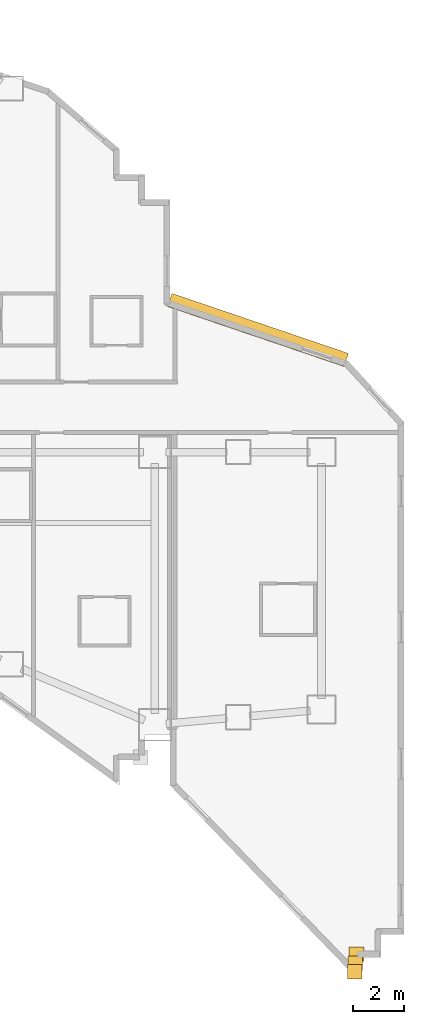
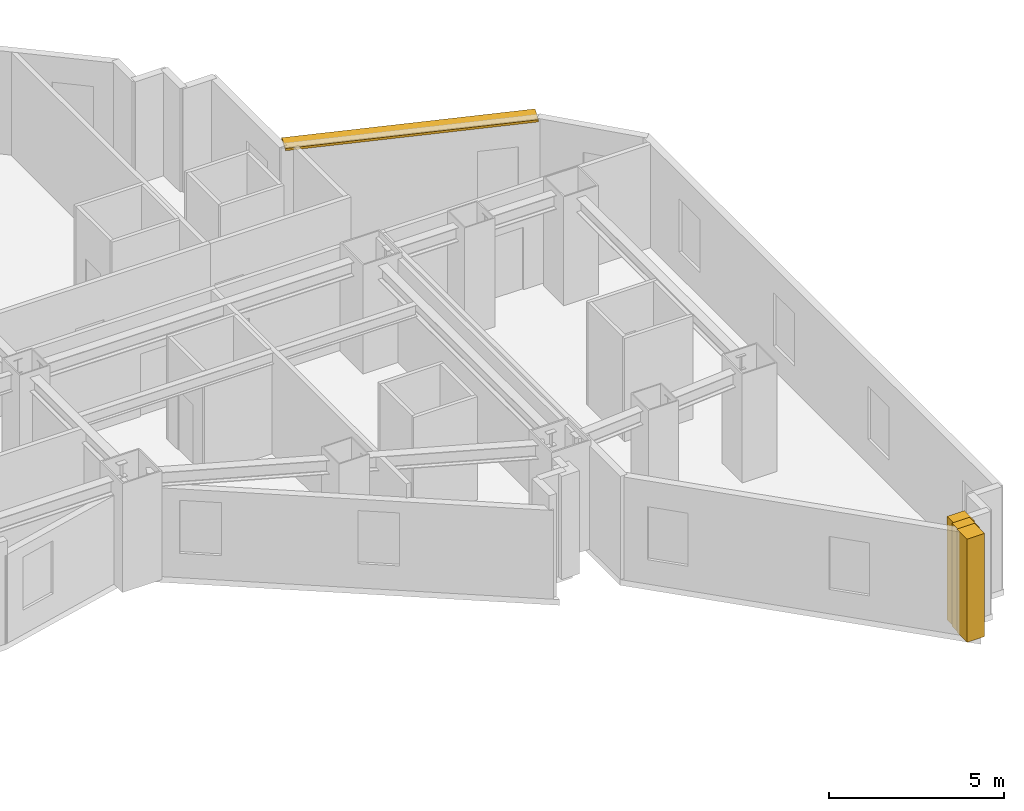
# One storey, part 17 of 17: 3 coverings, 1 shading device.
"""IFC4 building model written with IfcOpenShell, lengths in metres."""

from ifc_helpers import new_model, si_unit, direction, frame, origin, origin_2d, place, context, subcontext, project, spatial, rectangle, extrude, material, layer, layer_set, type_object, element, save


model = new_model("IFC4")

# Units and contexts
model_context = context("Model", 3, precision=1e-05, world=origin(), true_north=direction((0.0, 1.0)))
body_context = subcontext(model_context, "Body", "Model", "MODEL_VIEW")
ifc_project = project(units=[si_unit("LENGTHUNIT", "METRE"), si_unit("AREAUNIT", "SQUARE_METRE"), si_unit("VOLUMEUNIT", "CUBIC_METRE"), si_unit("PLANEANGLEUNIT", "RADIAN"), si_unit("MASSUNIT", "GRAM", prefix="KILO")], contexts=[model_context])

# Site, building, storey
site_placement = place(None, origin())
site = spatial("IfcSite", under=ifc_project, at=site_placement, CompositionType="ELEMENT")
building_placement = place(site_placement, origin())
building = spatial("IfcBuilding", under=site, at=building_placement, Name="Haolan Belvedere Tower", CompositionType="ELEMENT")
storey_placement = place(building_placement, frame((0.0, 0.0, 35.39990234375)))
storey = spatial("IfcBuildingStorey", under=building, at=storey_placement, Name="L08", CompositionType="ELEMENT", Elevation=35.39990234375)

# Coverings
ifc_material_1 = material(Name="Pale champagne-silver anodised aluminium rainscreen cladding", Category="aluminium")
ifc_layer_1 = layer(ifc_material_1, 0.034912109375, Name="Pale champagne-silver anodised aluminium rainscreen cladding")
ifc_layer_set_1 = layer_set([ifc_layer_1], Name="Pale champagne-silver anodised aluminium rainscreen cladding")
covering_type = type_object("IfcCoveringType", Name="COV-CLAD-35", PredefinedType="CLADDING", material=ifc_layer_set_1)
for number, where, z_axis, x_axis, name in (
    (1, (72.110595703125, 7.02001953125, 0.0), (0.0, 0.0, 1.0), (1.0, 0.0, 0.0), "L08 pale-metal serrated corner cladding trim 5"),
    (2, (72.139892578125, 7.351318359375, 0.0), (0.0, 0.0, 1.0), (1.0, 0.0, 0.0), "L08 pale-metal serrated corner cladding trim 6"),
    (3, (72.1826171875, 7.712890625, 0.0), (0.0, 0.0, 1.0), (1.0, 0.0, 0.0), "L08 pale-metal serrated corner cladding trim 7"),
):
    element("IfcCovering", number, at=place(storey_placement, frame(where, z_axis=z_axis, x_axis=x_axis)), inside=storey, type_object=covering_type, Name=name, PredefinedType="CLADDING", context=body_context, shape_type="SweptSolid", body=[
        extrude(rectangle(XDim=0.580078125, YDim=0.580078125, at=origin_2d()), origin(), (0.0, 0.0, 1.0), 3.60009765625),
    ])

# Shading device
ifc_material_2 = material(Name="Anodised champagne-silver aluminium 6063-T6", Category="aluminium")
ifc_layer_2 = layer(ifc_material_2, 0.080078125, Name="Anodised champagne-silver aluminium 6063-T6")
ifc_layer_set_2 = layer_set([ifc_layer_2], Name="Anodised champagne-silver aluminium 6063-T6")
shading_device_type = type_object("IfcShadingDeviceType", Name="SHD-SUN-550", PredefinedType="USERDEFINED", material=ifc_layer_set_2)
shading_device_placement = place(storey_placement, frame((68.28125, 32.437744140625, 3.5), z_axis=(0.0, 0.0, 1.0), x_axis=(-0.946795402177, 0.321836086257, 0.0)))
element("IfcShadingDevice", 4, at=shading_device_placement, inside=storey, type_object=shading_device_type, Name="L08 pale-metal horizontal SUNSHADE band 28.1", ObjectType="SUNSHADE", PredefinedType="USERDEFINED", context=body_context, shape_type="SweptSolid", body=[
    extrude(rectangle(XDim=7.382080078125, YDim=0.550048828125, at=origin_2d()), origin(), (0.0, 0.0, 1.0), 0.080078125),
])

save(model, "model.ifc")
